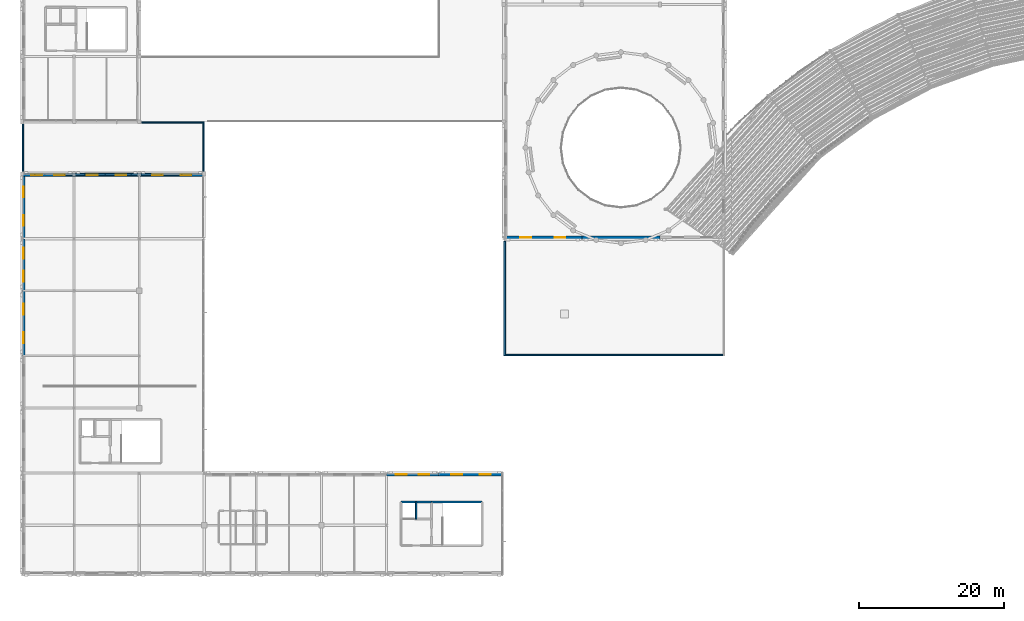
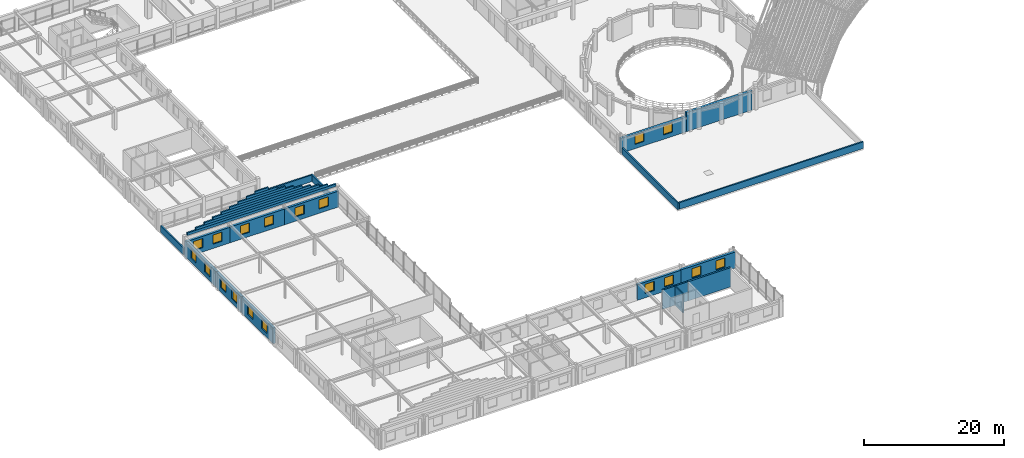
# One storey, part 48 of 74: 27 walls, 18 windows, 18 openings.
"""IFC4 building model written with IfcOpenShell, lengths in metres."""

from ifc_helpers import new_model, si_unit, direction, frame, frame_2d, origin, place, context, subcontext, project, spatial, rectangle, extrude, material, layer, layer_set, type_object, element, fill, save


model = new_model("IFC4")

# Units and contexts
model_context = context("Model", 3, precision=1e-05, world=origin(), true_north=direction((0.0, 1.0)))
body_context = subcontext(model_context, "Body", "Model", "MODEL_VIEW")
ifc_project = project(units=[si_unit("LENGTHUNIT", "METRE"), si_unit("AREAUNIT", "SQUARE_METRE"), si_unit("VOLUMEUNIT", "CUBIC_METRE"), si_unit("PLANEANGLEUNIT", "RADIAN"), si_unit("MASSUNIT", "GRAM", prefix="KILO")], contexts=[model_context])

# Site, building, storey
site_placement = place(None, origin())
site = spatial("IfcSite", under=ifc_project, at=site_placement, CompositionType="ELEMENT")
building_placement = place(site_placement, origin())
building = spatial("IfcBuilding", under=site, at=building_placement, Name="Clarverna Civic Hall", CompositionType="ELEMENT")
storey_placement = place(building_placement, frame((0.0, 0.0, 13.199951171875)))
storey = spatial("IfcBuildingStorey", under=building, at=storey_placement, Name="L03", CompositionType="ELEMENT", Elevation=13.199951171875)

# Wall
ifc_material_1 = material(Name="Montjuic Limestone Ashlar Cladding", Category="masonry")
ifc_layer_1 = layer(ifc_material_1, 0.39990234375)
ifc_layer_set_1 = layer_set([ifc_layer_1], Name="Montjuic Limestone Ashlar Cladding")
wall_type_1 = type_object("IfcWallType", Name="EW-02", PredefinedType="SOLIDWALL", material=ifc_layer_set_1)
wall_1_placement = place(storey_placement, frame((88.199951171875, 46.60009765625, 0.0), z_axis=(0.0, 0.0, 1.0), x_axis=(-1.0, 0.0, 0.0)))
element("IfcWall", 1, at=wall_1_placement, inside=storey, type_object=wall_type_1, Name="EW-02-166", PredefinedType="SOLIDWALL", context=body_context, shape_type="SweptSolid", body=[
    extrude(rectangle(XDim=10.800048828125, YDim=0.39990234375, at=frame_2d((5.39990234375, 0.0))), origin(), (0.0, 0.0, 1.0), 3.300048828125),
])

# Wall, openings, windows
wall_2_placement = place(storey_placement, frame((77.39990234375, 46.60009765625, 0.0), z_axis=(0.0, 0.0, 1.0), x_axis=(-1.0, 0.0, 0.0)))
wall_2 = element("IfcWall", 2, at=wall_2_placement, inside=storey, type_object=wall_type_1, Name="EW-02-167", PredefinedType="SOLIDWALL", context=body_context, shape_type="SweptSolid", body=[
    extrude(rectangle(XDim=10.77490234375, YDim=0.39990234375, at=frame_2d((5.387451171875, 0.0))), origin(), (0.0, 0.0, 1.0), 2.580078125),
])
opening_1_placement = place(wall_2_placement, frame((2.26708984375, 0.0, 0.75)))
opening_1 = element("IfcOpeningElement", 3, at=opening_1_placement, cuts=wall_2, Name="Opening WN-14", PredefinedType="OPENING", context=body_context, shape_type="SweptSolid", body=[
    extrude(rectangle(XDim=1.5, YDim=1.60009765625, at=frame_2d((0.75, 0.800048828125))), frame((0.0, 0.2099609375, 0.0), z_axis=(0.0, -1.0, 0.0), x_axis=(1.0, 0.0, 0.0)), (0.0, 0.0, 1.0), 0.419921875),
])
opening_2_placement = place(wall_2_placement, frame((7.008056640625, 0.0, 0.75)))
opening_2 = element("IfcOpeningElement", 4, at=opening_2_placement, cuts=wall_2, Name="Opening WN-14", PredefinedType="OPENING", context=body_context, shape_type="SweptSolid", body=[
    extrude(rectangle(XDim=1.5, YDim=1.60009765625, at=frame_2d((0.75, 0.800048828125))), frame((0.0, 0.2099609375, 0.0), z_axis=(0.0, -1.0, 0.0), x_axis=(1.0, 0.0, 0.0)), (0.0, 0.0, 1.0), 0.419921875),
])
ifc_material_2 = material(Name="Solar-Control Argon Low-E Double Glazing", Category="glass")
window_type = type_object("IfcWindowType", Name="WN-14", PartitioningType="DOUBLE_PANEL_HORIZONTAL", PredefinedType="WINDOW", material=ifc_material_2)
window_1_placement = place(opening_1_placement, origin())
window_1 = element("IfcWindow", 5, at=window_1_placement, inside=storey, type_object=window_type, Name="WN-14-144", OverallHeight=1.60009765625, OverallWidth=1.5, PartitioningType="DOUBLE_PANEL_HORIZONTAL", PredefinedType="WINDOW", context=body_context, shape_type="SweptSolid", body=[
    extrude(rectangle(XDim=1.5, YDim=1.60009765625, at=frame_2d((0.75, 0.800048828125))), frame((0.0, 0.030029296875, 0.0), z_axis=(0.0, -1.0, 0.0), x_axis=(1.0, 0.0, 0.0)), (0.0, 0.0, 1.0), 0.06005859375),
])
fill(opening_1, window_1)
window_2_placement = place(opening_2_placement, origin())
window_2 = element("IfcWindow", 6, at=window_2_placement, inside=storey, type_object=window_type, Name="WN-14-145", OverallHeight=1.60009765625, OverallWidth=1.5, PartitioningType="DOUBLE_PANEL_HORIZONTAL", PredefinedType="WINDOW", context=body_context, shape_type="SweptSolid", body=[
    extrude(rectangle(XDim=1.5, YDim=1.60009765625, at=frame_2d((0.75, 0.800048828125))), frame((0.0, 0.030029296875, 0.0), z_axis=(0.0, -1.0, 0.0), x_axis=(1.0, 0.0, 0.0)), (0.0, 0.0, 1.0), 0.06005859375),
])
fill(opening_2, window_2)

wall_3_placement = place(storey_placement, frame((0.199951171875, 30.199951171875, 0.0), z_axis=(0.0, 0.0, 1.0), x_axis=(0.0, 1.0, 0.0)))
wall_3 = element("IfcWall", 7, at=wall_3_placement, inside=storey, type_object=wall_type_1, Name="EW-02-204", PredefinedType="SOLIDWALL", context=body_context, shape_type="SweptSolid", body=[
    extrude(rectangle(XDim=9.0, YDim=0.39990234375, at=frame_2d((4.5, 0.0))), origin(), (0.0, 0.0, 1.0), 2.760009765625),
])
opening_3_placement = place(wall_3_placement, frame((1.77001953125, 0.0, 0.75)))
opening_3 = element("IfcOpeningElement", 8, at=opening_3_placement, cuts=wall_3, Name="Opening WN-14", PredefinedType="OPENING", context=body_context, shape_type="SweptSolid", body=[
    extrude(rectangle(XDim=1.5, YDim=1.60009765625, at=frame_2d((0.75, 0.800048828125))), frame((0.0, 0.2099609375, 0.0), z_axis=(0.0, -1.0, 0.0), x_axis=(1.0, 0.0, 0.0)), (0.0, 0.0, 1.0), 0.419921875),
])
opening_4_placement = place(wall_3_placement, frame((5.72998046875, 0.0, 0.75)))
opening_4 = element("IfcOpeningElement", 9, at=opening_4_placement, cuts=wall_3, Name="Opening WN-14", PredefinedType="OPENING", context=body_context, shape_type="SweptSolid", body=[
    extrude(rectangle(XDim=1.5, YDim=1.60009765625, at=frame_2d((0.75, 0.800048828125))), frame((0.0, 0.2099609375, 0.0), z_axis=(0.0, -1.0, 0.0), x_axis=(1.0, 0.0, 0.0)), (0.0, 0.0, 1.0), 0.419921875),
])
window_3_placement = place(opening_3_placement, origin())
window_3 = element("IfcWindow", 10, at=window_3_placement, inside=storey, type_object=window_type, Name="WN-14-204", OverallHeight=1.60009765625, OverallWidth=1.5, PartitioningType="DOUBLE_PANEL_HORIZONTAL", PredefinedType="WINDOW", context=body_context, shape_type="SweptSolid", body=[
    extrude(rectangle(XDim=1.5, YDim=1.60009765625, at=frame_2d((0.75, 0.800048828125))), frame((0.0, 0.030029296875, 0.0), z_axis=(0.0, -1.0, 0.0), x_axis=(1.0, 0.0, 0.0)), (0.0, 0.0, 1.0), 0.06005859375),
])
fill(opening_3, window_3)
window_4_placement = place(opening_4_placement, origin())
window_4 = element("IfcWindow", 11, at=window_4_placement, inside=storey, type_object=window_type, Name="WN-14-205", OverallHeight=1.60009765625, OverallWidth=1.5, PartitioningType="DOUBLE_PANEL_HORIZONTAL", PredefinedType="WINDOW", context=body_context, shape_type="SweptSolid", body=[
    extrude(rectangle(XDim=1.5, YDim=1.60009765625, at=frame_2d((0.75, 0.800048828125))), frame((0.0, 0.030029296875, 0.0), z_axis=(0.0, -1.0, 0.0), x_axis=(1.0, 0.0, 0.0)), (0.0, 0.0, 1.0), 0.06005859375),
])
fill(opening_4, window_4)

wall_4_placement = place(storey_placement, frame((0.199951171875, 39.199951171875, 0.0), z_axis=(0.0, 0.0, 1.0), x_axis=(0.0, 1.0, 0.0)))
wall_4 = element("IfcWall", 12, at=wall_4_placement, inside=storey, type_object=wall_type_1, Name="EW-02-205", PredefinedType="SOLIDWALL", context=body_context, shape_type="SweptSolid", body=[
    extrude(rectangle(XDim=7.199951171875, YDim=0.39990234375, at=frame_2d((3.60009765625, 0.0))), origin(), (0.0, 0.0, 1.0), 2.719970703125),
])
opening_5_placement = place(wall_4_placement, frame((1.26611328125, 0.0, 0.75)))
opening_5 = element("IfcOpeningElement", 13, at=opening_5_placement, cuts=wall_4, Name="Opening WN-14", PredefinedType="OPENING", context=body_context, shape_type="SweptSolid", body=[
    extrude(rectangle(XDim=1.5, YDim=1.60009765625, at=frame_2d((0.75, 0.800048828125))), frame((0.0, 0.2099609375, 0.0), z_axis=(0.0, -1.0, 0.0), x_axis=(1.0, 0.0, 0.0)), (0.0, 0.0, 1.0), 0.419921875),
])
opening_6_placement = place(wall_4_placement, frame((4.43408203125, 0.0, 0.75)))
opening_6 = element("IfcOpeningElement", 14, at=opening_6_placement, cuts=wall_4, Name="Opening WN-14", PredefinedType="OPENING", context=body_context, shape_type="SweptSolid", body=[
    extrude(rectangle(XDim=1.5, YDim=1.60009765625, at=frame_2d((0.75, 0.800048828125))), frame((0.0, 0.2099609375, 0.0), z_axis=(0.0, -1.0, 0.0), x_axis=(1.0, 0.0, 0.0)), (0.0, 0.0, 1.0), 0.419921875),
])
window_5_placement = place(opening_5_placement, origin())
window_5 = element("IfcWindow", 15, at=window_5_placement, inside=storey, type_object=window_type, Name="WN-14-206", OverallHeight=1.60009765625, OverallWidth=1.5, PartitioningType="DOUBLE_PANEL_HORIZONTAL", PredefinedType="WINDOW", context=body_context, shape_type="SweptSolid", body=[
    extrude(rectangle(XDim=1.5, YDim=1.60009765625, at=frame_2d((0.75, 0.800048828125))), frame((0.0, 0.030029296875, 0.0), z_axis=(0.0, -1.0, 0.0), x_axis=(1.0, 0.0, 0.0)), (0.0, 0.0, 1.0), 0.06005859375),
])
fill(opening_5, window_5)
window_6_placement = place(opening_6_placement, origin())
window_6 = element("IfcWindow", 16, at=window_6_placement, inside=storey, type_object=window_type, Name="WN-14-207", OverallHeight=1.60009765625, OverallWidth=1.5, PartitioningType="DOUBLE_PANEL_HORIZONTAL", PredefinedType="WINDOW", context=body_context, shape_type="SweptSolid", body=[
    extrude(rectangle(XDim=1.5, YDim=1.60009765625, at=frame_2d((0.75, 0.800048828125))), frame((0.0, 0.030029296875, 0.0), z_axis=(0.0, -1.0, 0.0), x_axis=(1.0, 0.0, 0.0)), (0.0, 0.0, 1.0), 0.06005859375),
])
fill(opening_6, window_6)

wall_5_placement = place(storey_placement, frame((0.199951171875, 46.39990234375, 0.0), z_axis=(0.0, 0.0, 1.0), x_axis=(0.0, 1.0, 0.0)))
wall_5 = element("IfcWall", 17, at=wall_5_placement, inside=storey, type_object=wall_type_1, Name="EW-02-206", PredefinedType="SOLIDWALL", context=body_context, shape_type="SweptSolid", body=[
    extrude(rectangle(XDim=9.0, YDim=0.39990234375, at=frame_2d((4.5, 0.0))), origin(), (0.0, 0.0, 1.0), 2.719970703125),
])
opening_7_placement = place(wall_5_placement, frame((1.77001953125, 0.0, 0.75)))
opening_7 = element("IfcOpeningElement", 18, at=opening_7_placement, cuts=wall_5, Name="Opening WN-14", PredefinedType="OPENING", context=body_context, shape_type="SweptSolid", body=[
    extrude(rectangle(XDim=1.5, YDim=1.60009765625, at=frame_2d((0.75, 0.800048828125))), frame((0.0, 0.2099609375, 0.0), z_axis=(0.0, -1.0, 0.0), x_axis=(1.0, 0.0, 0.0)), (0.0, 0.0, 1.0), 0.419921875),
])
opening_8_placement = place(wall_5_placement, frame((5.72998046875, 0.0, 0.75)))
opening_8 = element("IfcOpeningElement", 19, at=opening_8_placement, cuts=wall_5, Name="Opening WN-14", PredefinedType="OPENING", context=body_context, shape_type="SweptSolid", body=[
    extrude(rectangle(XDim=1.5, YDim=1.60009765625, at=frame_2d((0.75, 0.800048828125))), frame((0.0, 0.2099609375, 0.0), z_axis=(0.0, -1.0, 0.0), x_axis=(1.0, 0.0, 0.0)), (0.0, 0.0, 1.0), 0.419921875),
])
window_7_placement = place(opening_7_placement, origin())
window_7 = element("IfcWindow", 20, at=window_7_placement, inside=storey, type_object=window_type, Name="WN-14-208", OverallHeight=1.60009765625, OverallWidth=1.5, PartitioningType="DOUBLE_PANEL_HORIZONTAL", PredefinedType="WINDOW", context=body_context, shape_type="SweptSolid", body=[
    extrude(rectangle(XDim=1.5, YDim=1.60009765625, at=frame_2d((0.75, 0.800048828125))), frame((0.0, 0.030029296875, 0.0), z_axis=(0.0, -1.0, 0.0), x_axis=(1.0, 0.0, 0.0)), (0.0, 0.0, 1.0), 0.06005859375),
])
fill(opening_7, window_7)
window_8_placement = place(opening_8_placement, origin())
window_8 = element("IfcWindow", 21, at=window_8_placement, inside=storey, type_object=window_type, Name="WN-14-209", OverallHeight=1.60009765625, OverallWidth=1.5, PartitioningType="DOUBLE_PANEL_HORIZONTAL", PredefinedType="WINDOW", context=body_context, shape_type="SweptSolid", body=[
    extrude(rectangle(XDim=1.5, YDim=1.60009765625, at=frame_2d((0.75, 0.800048828125))), frame((0.0, 0.030029296875, 0.0), z_axis=(0.0, -1.0, 0.0), x_axis=(1.0, 0.0, 0.0)), (0.0, 0.0, 1.0), 0.06005859375),
])
fill(opening_8, window_8)

wall_6_placement = place(storey_placement, frame((0.0, 55.199951171875, 0.0), z_axis=(0.0, 0.0, 1.0), x_axis=(1.0, 0.0, 0.0)))
wall_6 = element("IfcWall", 22, at=wall_6_placement, inside=storey, type_object=wall_type_1, Name="EW-02-207", PredefinedType="SOLIDWALL", context=body_context, shape_type="SweptSolid", body=[
    extrude(rectangle(XDim=7.199951171875, YDim=0.39990234375, at=frame_2d((3.60009765625, 0.0))), origin(), (0.0, 0.0, 1.0), 2.719970703125),
])
opening_9_placement = place(wall_6_placement, frame((1.26611328125, 0.0, 0.75)))
opening_9 = element("IfcOpeningElement", 23, at=opening_9_placement, cuts=wall_6, Name="Opening WN-14", PredefinedType="OPENING", context=body_context, shape_type="SweptSolid", body=[
    extrude(rectangle(XDim=1.5, YDim=1.60009765625, at=frame_2d((0.75, 0.800048828125))), frame((0.0, 0.2099609375, 0.0), z_axis=(0.0, -1.0, 0.0), x_axis=(1.0, 0.0, 0.0)), (0.0, 0.0, 1.0), 0.419921875),
])
opening_10_placement = place(wall_6_placement, frame((4.43408203125, 0.0, 0.75)))
opening_10 = element("IfcOpeningElement", 24, at=opening_10_placement, cuts=wall_6, Name="Opening WN-14", PredefinedType="OPENING", context=body_context, shape_type="SweptSolid", body=[
    extrude(rectangle(XDim=1.5, YDim=1.60009765625, at=frame_2d((0.75, 0.800048828125))), frame((0.0, 0.2099609375, 0.0), z_axis=(0.0, -1.0, 0.0), x_axis=(1.0, 0.0, 0.0)), (0.0, 0.0, 1.0), 0.419921875),
])
window_9_placement = place(opening_9_placement, origin())
window_9 = element("IfcWindow", 25, at=window_9_placement, inside=storey, type_object=window_type, Name="WN-14-210", OverallHeight=1.60009765625, OverallWidth=1.5, PartitioningType="DOUBLE_PANEL_HORIZONTAL", PredefinedType="WINDOW", context=body_context, shape_type="SweptSolid", body=[
    extrude(rectangle(XDim=1.5, YDim=1.60009765625, at=frame_2d((0.75, 0.800048828125))), frame((0.0, 0.030029296875, 0.0), z_axis=(0.0, -1.0, 0.0), x_axis=(1.0, 0.0, 0.0)), (0.0, 0.0, 1.0), 0.06005859375),
])
fill(opening_9, window_9)
window_10_placement = place(opening_10_placement, origin())
window_10 = element("IfcWindow", 26, at=window_10_placement, inside=storey, type_object=window_type, Name="WN-14-211", OverallHeight=1.60009765625, OverallWidth=1.5, PartitioningType="DOUBLE_PANEL_HORIZONTAL", PredefinedType="WINDOW", context=body_context, shape_type="SweptSolid", body=[
    extrude(rectangle(XDim=1.5, YDim=1.60009765625, at=frame_2d((0.75, 0.800048828125))), frame((0.0, 0.030029296875, 0.0), z_axis=(0.0, -1.0, 0.0), x_axis=(1.0, 0.0, 0.0)), (0.0, 0.0, 1.0), 0.06005859375),
])
fill(opening_10, window_10)

wall_7_placement = place(storey_placement, frame((7.199951171875, 55.199951171875, 0.0), z_axis=(0.0, 0.0, 1.0), x_axis=(1.0, 0.0, 0.0)))
wall_7 = element("IfcWall", 27, at=wall_7_placement, inside=storey, type_object=wall_type_1, Name="EW-02-208", PredefinedType="SOLIDWALL", context=body_context, shape_type="SweptSolid", body=[
    extrude(rectangle(XDim=9.0, YDim=0.39990234375, at=frame_2d((4.5, 0.0))), origin(), (0.0, 0.0, 1.0), 2.760009765625),
])
opening_11_placement = place(wall_7_placement, frame((1.77001953125, 0.0, 0.75)))
opening_11 = element("IfcOpeningElement", 28, at=opening_11_placement, cuts=wall_7, Name="Opening WN-14", PredefinedType="OPENING", context=body_context, shape_type="SweptSolid", body=[
    extrude(rectangle(XDim=1.5, YDim=1.60009765625, at=frame_2d((0.75, 0.800048828125))), frame((0.0, 0.2099609375, 0.0), z_axis=(0.0, -1.0, 0.0), x_axis=(1.0, 0.0, 0.0)), (0.0, 0.0, 1.0), 0.419921875),
])
opening_12_placement = place(wall_7_placement, frame((5.72998046875, 0.0, 0.75)))
opening_12 = element("IfcOpeningElement", 29, at=opening_12_placement, cuts=wall_7, Name="Opening WN-14", PredefinedType="OPENING", context=body_context, shape_type="SweptSolid", body=[
    extrude(rectangle(XDim=1.5, YDim=1.60009765625, at=frame_2d((0.75, 0.800048828125))), frame((0.0, 0.2099609375, 0.0), z_axis=(0.0, -1.0, 0.0), x_axis=(1.0, 0.0, 0.0)), (0.0, 0.0, 1.0), 0.419921875),
])
window_11_placement = place(opening_11_placement, origin())
window_11 = element("IfcWindow", 30, at=window_11_placement, inside=storey, type_object=window_type, Name="WN-14-212", OverallHeight=1.60009765625, OverallWidth=1.5, PartitioningType="DOUBLE_PANEL_HORIZONTAL", PredefinedType="WINDOW", context=body_context, shape_type="SweptSolid", body=[
    extrude(rectangle(XDim=1.5, YDim=1.60009765625, at=frame_2d((0.75, 0.800048828125))), frame((0.0, 0.030029296875, 0.0), z_axis=(0.0, -1.0, 0.0), x_axis=(1.0, 0.0, 0.0)), (0.0, 0.0, 1.0), 0.06005859375),
])
fill(opening_11, window_11)
window_12_placement = place(opening_12_placement, origin())
window_12 = element("IfcWindow", 31, at=window_12_placement, inside=storey, type_object=window_type, Name="WN-14-213", OverallHeight=1.60009765625, OverallWidth=1.5, PartitioningType="DOUBLE_PANEL_HORIZONTAL", PredefinedType="WINDOW", context=body_context, shape_type="SweptSolid", body=[
    extrude(rectangle(XDim=1.5, YDim=1.60009765625, at=frame_2d((0.75, 0.800048828125))), frame((0.0, 0.030029296875, 0.0), z_axis=(0.0, -1.0, 0.0), x_axis=(1.0, 0.0, 0.0)), (0.0, 0.0, 1.0), 0.06005859375),
])
fill(opening_12, window_12)

wall_8_placement = place(storey_placement, frame((16.199951171875, 55.199951171875, 0.0), z_axis=(0.0, 0.0, 1.0), x_axis=(1.0, 0.0, 0.0)))
wall_8 = element("IfcWall", 32, at=wall_8_placement, inside=storey, type_object=wall_type_1, Name="EW-02-209", PredefinedType="SOLIDWALL", context=body_context, shape_type="SweptSolid", body=[
    extrude(rectangle(XDim=9.0, YDim=0.39990234375, at=frame_2d((4.5, 0.0))), origin(), (0.0, 0.0, 1.0), 2.760009765625),
])
opening_13_placement = place(wall_8_placement, frame((1.77001953125, 0.0, 0.75)))
opening_13 = element("IfcOpeningElement", 33, at=opening_13_placement, cuts=wall_8, Name="Opening WN-14", PredefinedType="OPENING", context=body_context, shape_type="SweptSolid", body=[
    extrude(rectangle(XDim=1.5, YDim=1.60009765625, at=frame_2d((0.75, 0.800048828125))), frame((0.0, 0.2099609375, 0.0), z_axis=(0.0, -1.0, 0.0), x_axis=(1.0, 0.0, 0.0)), (0.0, 0.0, 1.0), 0.419921875),
])
opening_14_placement = place(wall_8_placement, frame((5.72998046875, 0.0, 0.75)))
opening_14 = element("IfcOpeningElement", 34, at=opening_14_placement, cuts=wall_8, Name="Opening WN-14", PredefinedType="OPENING", context=body_context, shape_type="SweptSolid", body=[
    extrude(rectangle(XDim=1.5, YDim=1.60009765625, at=frame_2d((0.75, 0.800048828125))), frame((0.0, 0.2099609375, 0.0), z_axis=(0.0, -1.0, 0.0), x_axis=(1.0, 0.0, 0.0)), (0.0, 0.0, 1.0), 0.419921875),
])
window_13_placement = place(opening_13_placement, origin())
window_13 = element("IfcWindow", 35, at=window_13_placement, inside=storey, type_object=window_type, Name="WN-14-214", OverallHeight=1.60009765625, OverallWidth=1.5, PartitioningType="DOUBLE_PANEL_HORIZONTAL", PredefinedType="WINDOW", context=body_context, shape_type="SweptSolid", body=[
    extrude(rectangle(XDim=1.5, YDim=1.60009765625, at=frame_2d((0.75, 0.800048828125))), frame((0.0, 0.030029296875, 0.0), z_axis=(0.0, -1.0, 0.0), x_axis=(1.0, 0.0, 0.0)), (0.0, 0.0, 1.0), 0.06005859375),
])
fill(opening_13, window_13)
window_14_placement = place(opening_14_placement, origin())
window_14 = element("IfcWindow", 36, at=window_14_placement, inside=storey, type_object=window_type, Name="WN-14-215", OverallHeight=1.60009765625, OverallWidth=1.5, PartitioningType="DOUBLE_PANEL_HORIZONTAL", PredefinedType="WINDOW", context=body_context, shape_type="SweptSolid", body=[
    extrude(rectangle(XDim=1.5, YDim=1.60009765625, at=frame_2d((0.75, 0.800048828125))), frame((0.0, 0.030029296875, 0.0), z_axis=(0.0, -1.0, 0.0), x_axis=(1.0, 0.0, 0.0)), (0.0, 0.0, 1.0), 0.06005859375),
])
fill(opening_14, window_14)

wall_9_placement = place(storey_placement, frame((50.39990234375, 13.800048828125, 0.0), z_axis=(0.0, 0.0, 1.0), x_axis=(1.0, 0.0, 0.0)))
wall_9 = element("IfcWall", 37, at=wall_9_placement, inside=storey, type_object=wall_type_1, Name="EW-02-213", PredefinedType="SOLIDWALL", context=body_context, shape_type="SweptSolid", body=[
    extrude(rectangle(XDim=7.2001953125, YDim=0.39990234375, at=frame_2d((3.60009765625, 0.0))), origin(), (0.0, 0.0, 1.0), 2.719970703125),
])
opening_15_placement = place(wall_9_placement, frame((1.26611328125, 0.0, 0.75)))
opening_15 = element("IfcOpeningElement", 38, at=opening_15_placement, cuts=wall_9, Name="Opening WN-14", PredefinedType="OPENING", context=body_context, shape_type="SweptSolid", body=[
    extrude(rectangle(XDim=1.5, YDim=1.60009765625, at=frame_2d((0.75, 0.800048828125))), frame((0.0, 0.2099609375, 0.0), z_axis=(0.0, -1.0, 0.0), x_axis=(1.0, 0.0, 0.0)), (0.0, 0.0, 1.0), 0.419921875),
])
opening_16_placement = place(wall_9_placement, frame((4.43408203125, 0.0, 0.75)))
opening_16 = element("IfcOpeningElement", 39, at=opening_16_placement, cuts=wall_9, Name="Opening WN-14", PredefinedType="OPENING", context=body_context, shape_type="SweptSolid", body=[
    extrude(rectangle(XDim=1.5, YDim=1.60009765625, at=frame_2d((0.75, 0.800048828125))), frame((0.0, 0.2099609375, 0.0), z_axis=(0.0, -1.0, 0.0), x_axis=(1.0, 0.0, 0.0)), (0.0, 0.0, 1.0), 0.419921875),
])
window_15_placement = place(opening_15_placement, origin())
window_15 = element("IfcWindow", 40, at=window_15_placement, inside=storey, type_object=window_type, Name="WN-14-222", OverallHeight=1.60009765625, OverallWidth=1.5, PartitioningType="DOUBLE_PANEL_HORIZONTAL", PredefinedType="WINDOW", context=body_context, shape_type="SweptSolid", body=[
    extrude(rectangle(XDim=1.5, YDim=1.60009765625, at=frame_2d((0.75, 0.800048828125))), frame((0.0, 0.030029296875, 0.0), z_axis=(0.0, -1.0, 0.0), x_axis=(1.0, 0.0, 0.0)), (0.0, 0.0, 1.0), 0.06005859375),
])
fill(opening_15, window_15)
window_16_placement = place(opening_16_placement, origin())
window_16 = element("IfcWindow", 41, at=window_16_placement, inside=storey, type_object=window_type, Name="WN-14-223", OverallHeight=1.60009765625, OverallWidth=1.5, PartitioningType="DOUBLE_PANEL_HORIZONTAL", PredefinedType="WINDOW", context=body_context, shape_type="SweptSolid", body=[
    extrude(rectangle(XDim=1.5, YDim=1.60009765625, at=frame_2d((0.75, 0.800048828125))), frame((0.0, 0.030029296875, 0.0), z_axis=(0.0, -1.0, 0.0), x_axis=(1.0, 0.0, 0.0)), (0.0, 0.0, 1.0), 0.06005859375),
])
fill(opening_16, window_16)

wall_10_placement = place(storey_placement, frame((57.60009765625, 13.800048828125, 0.0), z_axis=(0.0, 0.0, 1.0), x_axis=(1.0, 0.0, 0.0)))
wall_10 = element("IfcWall", 42, at=wall_10_placement, inside=storey, type_object=wall_type_1, Name="EW-02-214", PredefinedType="SOLIDWALL", context=body_context, shape_type="SweptSolid", body=[
    extrude(rectangle(XDim=8.974853515625, YDim=0.39990234375, at=frame_2d((4.4873046875, 0.0))), origin(), (0.0, 0.0, 1.0), 2.780029296875),
])
opening_17_placement = place(wall_10_placement, frame((1.762939453125, 0.0, 0.75)))
opening_17 = element("IfcOpeningElement", 43, at=opening_17_placement, cuts=wall_10, Name="Opening WN-14", PredefinedType="OPENING", context=body_context, shape_type="SweptSolid", body=[
    extrude(rectangle(XDim=1.5, YDim=1.60009765625, at=frame_2d((0.75, 0.800048828125))), frame((0.0, 0.2099609375, 0.0), z_axis=(0.0, -1.0, 0.0), x_axis=(1.0, 0.0, 0.0)), (0.0, 0.0, 1.0), 0.419921875),
])
opening_18_placement = place(wall_10_placement, frame((5.7119140625, 0.0, 0.75)))
opening_18 = element("IfcOpeningElement", 44, at=opening_18_placement, cuts=wall_10, Name="Opening WN-14", PredefinedType="OPENING", context=body_context, shape_type="SweptSolid", body=[
    extrude(rectangle(XDim=1.5, YDim=1.60009765625, at=frame_2d((0.75, 0.800048828125))), frame((0.0, 0.2099609375, 0.0), z_axis=(0.0, -1.0, 0.0), x_axis=(1.0, 0.0, 0.0)), (0.0, 0.0, 1.0), 0.419921875),
])
window_17_placement = place(opening_17_placement, origin())
window_17 = element("IfcWindow", 45, at=window_17_placement, inside=storey, type_object=window_type, Name="WN-14-224", OverallHeight=1.60009765625, OverallWidth=1.5, PartitioningType="DOUBLE_PANEL_HORIZONTAL", PredefinedType="WINDOW", context=body_context, shape_type="SweptSolid", body=[
    extrude(rectangle(XDim=1.5, YDim=1.60009765625, at=frame_2d((0.75, 0.800048828125))), frame((0.0, 0.030029296875, 0.0), z_axis=(0.0, -1.0, 0.0), x_axis=(1.0, 0.0, 0.0)), (0.0, 0.0, 1.0), 0.06005859375),
])
fill(opening_17, window_17)
window_18_placement = place(opening_18_placement, origin())
window_18 = element("IfcWindow", 46, at=window_18_placement, inside=storey, type_object=window_type, Name="WN-14-225", OverallHeight=1.60009765625, OverallWidth=1.5, PartitioningType="DOUBLE_PANEL_HORIZONTAL", PredefinedType="WINDOW", context=body_context, shape_type="SweptSolid", body=[
    extrude(rectangle(XDim=1.5, YDim=1.60009765625, at=frame_2d((0.75, 0.800048828125))), frame((0.0, 0.030029296875, 0.0), z_axis=(0.0, -1.0, 0.0), x_axis=(1.0, 0.0, 0.0)), (0.0, 0.0, 1.0), 0.06005859375),
])
fill(opening_18, window_18)

# Walls
ifc_material_3 = material(Name="Precast concrete C40/50", Category="concrete")
ifc_layer_2 = layer(ifc_material_3, 0.239990234375)
ifc_layer_set_2 = layer_set([ifc_layer_2], Name="Precast concrete C40/50")
wall_type_2 = type_object("IfcWallType", Name="PR-01", PredefinedType="PARAPET", material=ifc_layer_set_2)
wall_11_placement = place(storey_placement, frame((97.175048828125, 30.320068359375, 0.0), z_axis=(0.0, 0.0, 1.0), x_axis=(-1.0, 0.0, 0.0)))
element("IfcWall", 47, at=wall_11_placement, inside=storey, type_object=wall_type_2, Name="PR-01-022", PredefinedType="PARAPET", context=body_context, shape_type="SweptSolid", body=[
    extrude(rectangle(XDim=30.550048828125, YDim=0.239990234375, at=frame_2d((15.27490234375, 0.0))), origin(), (0.0, 0.0, 1.0), 1.150146484375),
])
wall_12_placement = place(storey_placement, frame((66.7451171875, 30.199951171875, 0.0), z_axis=(0.0, 0.0, 1.0), x_axis=(0.0, 1.0, 0.0)))
element("IfcWall", 48, at=wall_12_placement, inside=storey, type_object=wall_type_2, Name="PR-01-023", PredefinedType="PARAPET", context=body_context, shape_type="SweptSolid", body=[
    extrude(rectangle(XDim=15.85009765625, YDim=0.239990234375, at=frame_2d((7.925048828125, 0.0))), origin(), (0.0, 0.0, 1.0), 1.150146484375),
])
wall_13_placement = place(storey_placement, frame((0.1201171875, 55.75, 0.0), z_axis=(0.0, 0.0, 1.0), x_axis=(0.0, 1.0, 0.0)))
element("IfcWall", 49, at=wall_13_placement, inside=storey, type_object=wall_type_2, Name="PR-01-024", PredefinedType="PARAPET", context=body_context, shape_type="SweptSolid", body=[
    extrude(rectangle(XDim=6.5, YDim=0.239990234375, at=frame_2d((3.25, 0.0))), origin(), (0.0, 0.0, 1.0), 1.150146484375),
])
wall_14_placement = place(storey_placement, frame((16.550048828125, 62.47998046875, 0.0), z_axis=(0.0, 0.0, 1.0), x_axis=(1.0, 0.0, 0.0)))
element("IfcWall", 50, at=wall_14_placement, inside=storey, type_object=wall_type_2, Name="PR-01-025", PredefinedType="PARAPET", context=body_context, shape_type="SweptSolid", body=[
    extrude(rectangle(XDim=8.64990234375, YDim=0.239990234375, at=frame_2d((4.324951171875, 0.0))), origin(), (0.0, 0.0, 1.0), 1.150146484375),
])
wall_15_placement = place(storey_placement, frame((25.080078125, 62.60009765625, 0.0), z_axis=(0.0, 0.0, 1.0), x_axis=(0.0, -1.0, 0.0)))
element("IfcWall", 51, at=wall_15_placement, inside=storey, type_object=wall_type_2, Name="PR-01-026", PredefinedType="PARAPET", context=body_context, shape_type="SweptSolid", body=[
    extrude(rectangle(XDim=6.85009765625, YDim=0.239990234375, at=frame_2d((3.425048828125, 0.0))), origin(), (0.0, 0.0, 1.0), 1.150146484375),
])
wall_16_placement = place(storey_placement, frame((0.358154296875, 55.320068359375, 3.56005859375), z_axis=(0.0, 0.0, 1.0), x_axis=(1.0, 0.0, 0.0)))
element("IfcWall", 52, at=wall_16_placement, inside=storey, type_object=wall_type_2, Name="PR-01-144", PredefinedType="PARAPET", context=body_context, shape_type="SweptSolid", body=[
    extrude(rectangle(XDim=24.483642578125, YDim=0.239990234375, at=frame_2d((12.24169921875, 0.0))), origin(), (0.0, 0.0, 1.0), 0.450439453125),
])
wall_17_placement = place(storey_placement, frame((1.749267578125, 55.320068359375, 4.010498046875), z_axis=(0.0, 0.0, 1.0), x_axis=(1.0, 0.0, 0.0)))
element("IfcWall", 53, at=wall_17_placement, inside=storey, type_object=wall_type_2, Name="PR-01-145", PredefinedType="PARAPET", context=body_context, shape_type="SweptSolid", body=[
    extrude(rectangle(XDim=21.701416015625, YDim=0.239990234375, at=frame_2d((10.8505859375, 0.0))), origin(), (0.0, 0.0, 1.0), 0.41064453125),
])
wall_18_placement = place(storey_placement, frame((3.140380859375, 55.320068359375, 4.421142578125), z_axis=(0.0, 0.0, 1.0), x_axis=(1.0, 0.0, 0.0)))
element("IfcWall", 54, at=wall_18_placement, inside=storey, type_object=wall_type_2, Name="PR-01-146", PredefinedType="PARAPET", context=body_context, shape_type="SweptSolid", body=[
    extrude(rectangle(XDim=18.919189453125, YDim=0.239990234375, at=frame_2d((9.45947265625, 0.0))), origin(), (0.0, 0.0, 1.0), 0.410400390625),
])
wall_19_placement = place(storey_placement, frame((4.531494140625, 55.320068359375, 4.83154296875), z_axis=(0.0, 0.0, 1.0), x_axis=(1.0, 0.0, 0.0)))
element("IfcWall", 55, at=wall_19_placement, inside=storey, type_object=wall_type_2, Name="PR-01-147", PredefinedType="PARAPET", context=body_context, shape_type="SweptSolid", body=[
    extrude(rectangle(XDim=16.136962890625, YDim=0.239990234375, at=frame_2d((8.068359375, 0.0))), origin(), (0.0, 0.0, 1.0), 0.41064453125),
])
wall_20_placement = place(storey_placement, frame((5.922607421875, 55.320068359375, 5.2421875), z_axis=(0.0, 0.0, 1.0), x_axis=(1.0, 0.0, 0.0)))
element("IfcWall", 56, at=wall_20_placement, inside=storey, type_object=wall_type_2, Name="PR-01-148", PredefinedType="PARAPET", context=body_context, shape_type="SweptSolid", body=[
    extrude(rectangle(XDim=13.354736328125, YDim=0.239990234375, at=frame_2d((6.67724609375, 0.0))), origin(), (0.0, 0.0, 1.0), 0.410400390625),
])
wall_21_placement = place(storey_placement, frame((7.313720703125, 55.320068359375, 5.652587890625), z_axis=(0.0, 0.0, 1.0), x_axis=(1.0, 0.0, 0.0)))
element("IfcWall", 57, at=wall_21_placement, inside=storey, type_object=wall_type_2, Name="PR-01-149", PredefinedType="PARAPET", context=body_context, shape_type="SweptSolid", body=[
    extrude(rectangle(XDim=10.572509765625, YDim=0.239990234375, at=frame_2d((5.2861328125, 0.0))), origin(), (0.0, 0.0, 1.0), 0.41064453125),
])
wall_22_placement = place(storey_placement, frame((8.704833984375, 55.320068359375, 6.063232421875), z_axis=(0.0, 0.0, 1.0), x_axis=(1.0, 0.0, 0.0)))
element("IfcWall", 58, at=wall_22_placement, inside=storey, type_object=wall_type_2, Name="PR-01-150", PredefinedType="PARAPET", context=body_context, shape_type="SweptSolid", body=[
    extrude(rectangle(XDim=7.790283203125, YDim=0.239990234375, at=frame_2d((3.89501953125, 0.0))), origin(), (0.0, 0.0, 1.0), 0.410400390625),
])
wall_23_placement = place(storey_placement, frame((10.095947265625, 55.320068359375, 6.4736328125), z_axis=(0.0, 0.0, 1.0), x_axis=(1.0, 0.0, 0.0)))
element("IfcWall", 59, at=wall_23_placement, inside=storey, type_object=wall_type_2, Name="PR-01-151", PredefinedType="PARAPET", context=body_context, shape_type="SweptSolid", body=[
    extrude(rectangle(XDim=5.008056640625, YDim=0.239990234375, at=frame_2d((2.50390625, 0.0))), origin(), (0.0, 0.0, 1.0), 0.41064453125),
])
wall_24_placement = place(storey_placement, frame((11.487060546875, 55.320068359375, 6.88427734375), z_axis=(0.0, 0.0, 1.0), x_axis=(1.0, 0.0, 0.0)))
element("IfcWall", 60, at=wall_24_placement, inside=storey, type_object=wall_type_2, Name="PR-01-152", PredefinedType="PARAPET", context=body_context, shape_type="SweptSolid", body=[
    extrude(rectangle(XDim=2.225830078125, YDim=0.239990234375, at=frame_2d((1.11279296875, 0.0))), origin(), (0.0, 0.0, 1.0), 0.410400390625),
])
ifc_material_4 = material(Name="Concrete C35/45", Category="concrete")
ifc_layer_3 = layer(ifc_material_4, 0.300048828125)
ifc_layer_set_3 = layer_set([ifc_layer_3], Name="Concrete C35/45")
wall_type_3 = type_object("IfcWallType", Name="SW-03", PredefinedType="SHEAR", material=ifc_layer_set_3)
wall_25_placement = place(storey_placement, frame((56.60009765625, 10.0, 0.0), z_axis=(0.0, 0.0, 1.0), x_axis=(1.0, 0.0, 0.0)))
element("IfcWall", 61, at=wall_25_placement, inside=storey, type_object=wall_type_3, Name="SW-03-094", PredefinedType="SHEAR", context=body_context, shape_type="SweptSolid", body=[
    extrude(rectangle(XDim=7.0, YDim=0.300048828125, at=frame_2d((3.5, 0.0))), origin(), (0.0, 0.0, 1.0), 3.340087890625),
])
wall_26_placement = place(storey_placement, frame((52.39990234375, 10.0, 0.0), z_axis=(0.0, 0.0, 1.0), x_axis=(1.0, 0.0, 0.0)))
element("IfcWall", 62, at=wall_26_placement, inside=storey, type_object=wall_type_3, Name="SW-03-095", PredefinedType="SHEAR", context=body_context, shape_type="SweptSolid", body=[
    extrude(rectangle(XDim=4.2001953125, YDim=0.239990234375, at=frame_2d((2.10009765625, 0.0))), origin(), (0.0, 0.0, 1.0), 3.340087890625),
])
wall_27_placement = place(storey_placement, frame((54.5, 7.64990234375, 0.0), z_axis=(0.0, 0.0, 1.0), x_axis=(0.0, 1.0, 0.0)))
element("IfcWall", 63, at=wall_27_placement, inside=storey, type_object=wall_type_3, Name="SW-03-097", PredefinedType="SHEAR", context=body_context, shape_type="SweptSolid", body=[
    extrude(rectangle(XDim=2.35009765625, YDim=0.199951171875, at=frame_2d((1.175048828125, 0.0))), origin(), (0.0, 0.0, 1.0), 3.340087890625),
])

save(model, "model.ifc")
